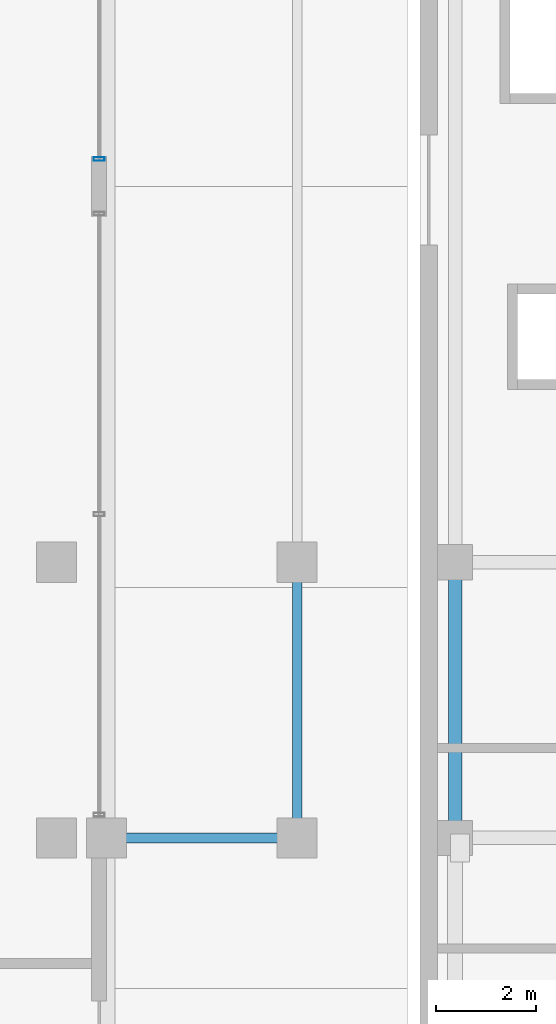
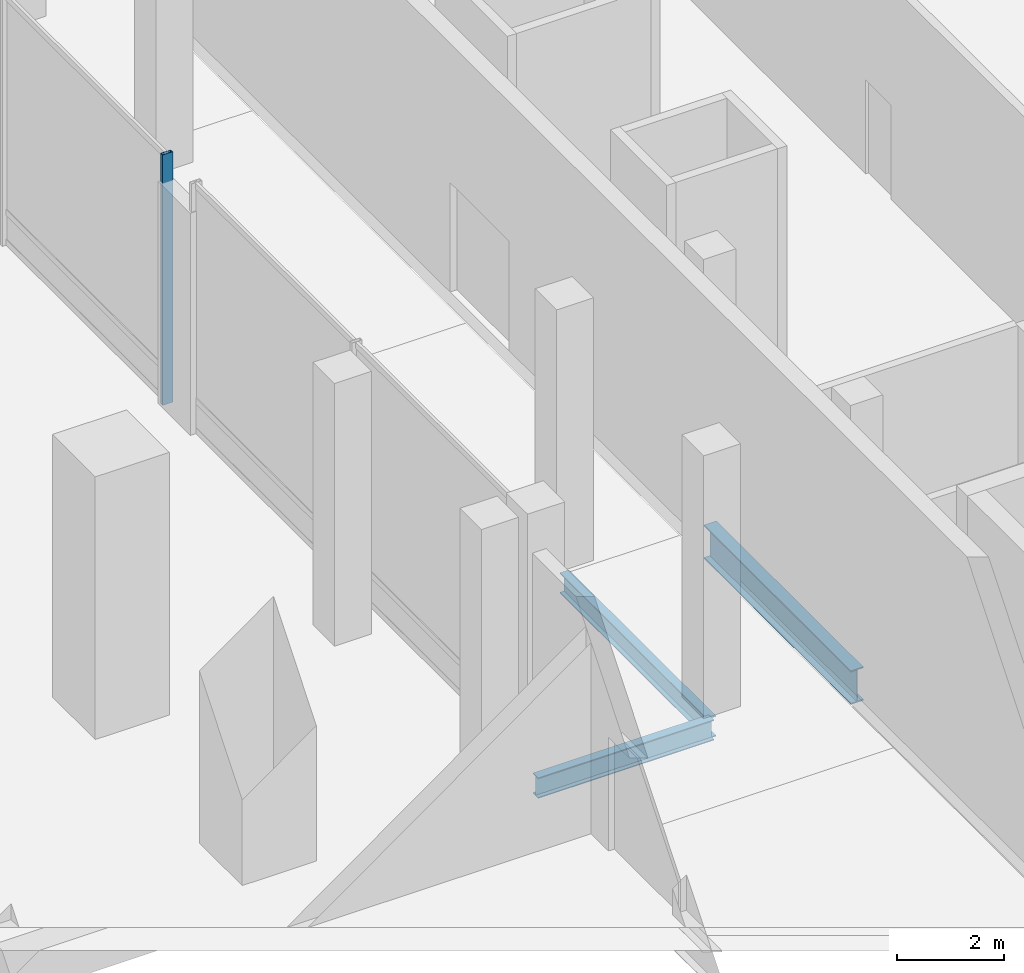
# One storey, part 12 of 34: 3 beams, 1 member, 1 element without a shape of its own.
"""IFC4 building model written with IfcOpenShell, lengths in metres."""

from ifc_helpers import new_model, si_unit, direction, frame, origin, origin_2d, place, context, subcontext, project, spatial, hollow_rectangle, i_section, extrude, material, layer, layer_set, material_profile, profile_set, type_object, element, aggregate, save


model = new_model("IFC4")

# Units and contexts
model_context = context("Model", 3, precision=1e-05, world=origin(), true_north=direction((0.0, 1.0)))
body_context = subcontext(model_context, "Body", "Model", "MODEL_VIEW")
ifc_project = project(units=[si_unit("LENGTHUNIT", "METRE"), si_unit("AREAUNIT", "SQUARE_METRE"), si_unit("VOLUMEUNIT", "CUBIC_METRE"), si_unit("PLANEANGLEUNIT", "RADIAN"), si_unit("MASSUNIT", "GRAM", prefix="KILO")], contexts=[model_context])

# Site, building, storey
site_placement = place(None, origin())
site = spatial("IfcSite", under=ifc_project, at=site_placement, CompositionType="ELEMENT")
building_placement = place(site_placement, origin())
building = spatial("IfcBuilding", under=site, at=building_placement, Name="Barlavira Tower and Art Museum", CompositionType="ELEMENT")
storey_placement = place(building_placement, origin())
storey = spatial("IfcBuildingStorey", under=building, at=storey_placement, Name="L00", CompositionType="ELEMENT", Elevation=0.0)

# Beams
ifc_material_1 = material(Name="Steel S355", Category="steel")
ifc_material_profile_1 = material_profile(ifc_material_1, i_section(OverallWidth=0.194091796875, OverallDepth=0.468994140625, WebThickness=0.0126953125, FlangeThickness=0.0205078125, at=origin_2d()), Name="W460x106.0")
ifc_profile_set_1 = profile_set([ifc_material_profile_1], Name="Steel S355")
beam_type_1 = type_object("IfcBeamType", Name="Covered Arcade Roof Girder W460x106 Steel S355", PredefinedType="BEAM", material=ifc_profile_set_1)
beam_1_placement = place(storey_placement, frame((23.0, -13.0, -0.58447265625), z_axis=(1.0, 0.0, 0.0), x_axis=(0.0, 1.0, 0.0)))
element("IfcBeam", 1, at=beam_1_placement, inside=storey, type_object=beam_type_1, Name="L00 Arcade West Girder 1", PredefinedType="BEAM", context=body_context, shape_type="SweptSolid", body=[
    extrude(i_section(OverallWidth=0.194091796875, OverallDepth=0.468994140625, WebThickness=0.0126953125, FlangeThickness=0.0205078125, at=origin_2d()), origin(), (0.0, 0.0, 1.0), 3.800048828125),
])
beam_2_placement = place(storey_placement, frame((26.800048828125, -13.0, -0.58447265625), z_axis=(0.0, 1.0, 0.0), x_axis=(-1.0, 0.0, 0.0)))
element("IfcBeam", 2, at=beam_2_placement, inside=storey, type_object=beam_type_1, Name="L00 Arcade Longitudinal Beam 1", PredefinedType="BEAM", context=body_context, shape_type="SweptSolid", body=[
    extrude(i_section(OverallWidth=0.194091796875, OverallDepth=0.468994140625, WebThickness=0.0126953125, FlangeThickness=0.0205078125, at=origin_2d()), origin(), (0.0, 0.0, 1.0), 5.5),
])

# Curtain wall, member
ifc_material_2 = material(Name="Low-iron coastal laminated glass", Category="glass")
ifc_layer = layer(ifc_material_2, 0.219970703125, Name="Low-iron coastal laminated glass")
ifc_layer_set = layer_set([ifc_layer], Name="Low-iron coastal laminated glass")
curtain_wall_type = type_object("IfcCurtainWallType", Name="Double-Height Podium Arcade Storefront Curtain Wall", PredefinedType="NOTDEFINED", material=ifc_layer_set)
curtain_wall_placement = place(storey_placement, origin())
curtain_wall = element("IfcCurtainWall", 3, at=curtain_wall_placement, inside=storey, type_object=curtain_wall_type, Name="L00 Curtain Wall CW5-L00-EN", PredefinedType="NOTDEFINED")
ifc_material_3 = material(Name="Pale anodised aluminium", Category="aluminium")
ifc_material_profile_2 = material_profile(ifc_material_3, hollow_rectangle(XDim=0.074951171875, YDim=0.219970703125, WallThickness=0.0048828125, at=origin_2d()), Name="ALU-MULL 75x220x5")
ifc_profile_set_2 = profile_set([ifc_material_profile_2], Name="Pale anodised aluminium")
member_type = type_object("IfcMemberType", Name="Curtain Wall Heavy Pale-Metal Mullion 75x220", PredefinedType="MULLION", material=ifc_profile_set_2)
member_placement = place(storey_placement, frame((22.85009765625, 0.544921875, 0.0), z_axis=(0.0, 0.0, 1.0), x_axis=(0.0, 1.0, 0.0)))
member = element("IfcMember", 4, at=member_placement, type_object=member_type, Name="CW5-L00-EN Mullion 0", PredefinedType="MULLION", context=body_context, shape_type="SweptSolid", body=[
    extrude(hollow_rectangle(XDim=0.074951171875, YDim=0.219970703125, WallThickness=0.0048828125, at=origin_2d()), origin(), (0.0, 0.0, 1.0), 5.719970703125),
])
aggregate(curtain_wall, [member])

# Beam
ifc_material_profile_3 = material_profile(ifc_material_1, i_section(OverallWidth=0.26904296875, OverallDepth=0.76806640625, WebThickness=0.016845703125, FlangeThickness=0.026611328125, at=origin_2d()), Name="W760x220.0")
ifc_profile_set_3 = profile_set([ifc_material_profile_3], Name="Steel S355")
beam_type_2 = type_object("IfcBeamType", Name="Museum Long-Span Gallery Girder W760x220 Steel S355", PredefinedType="BEAM", material=ifc_profile_set_3)
beam_3_placement = place(storey_placement, frame((29.949951171875, -13.0, -0.73388671875), z_axis=(0.0, 1.0, 0.0), x_axis=(-1.0, 0.0, 0.0)))
element("IfcBeam", 5, at=beam_3_placement, inside=storey, type_object=beam_type_2, Name="L00 Museum Girder Y 1-2", PredefinedType="BEAM", context=body_context, shape_type="SweptSolid", body=[
    extrude(i_section(OverallWidth=0.26904296875, OverallDepth=0.76806640625, WebThickness=0.016845703125, FlangeThickness=0.026611328125, at=origin_2d()), origin(), (0.0, 0.0, 1.0), 5.5),
])

save(model, "model.ifc")
